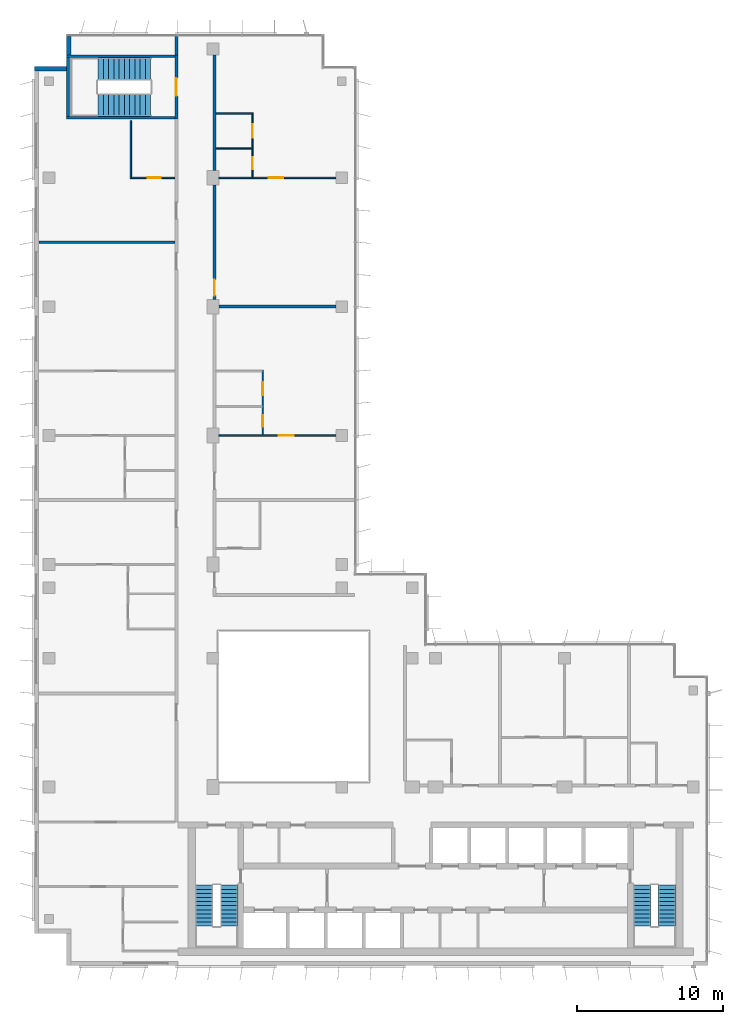
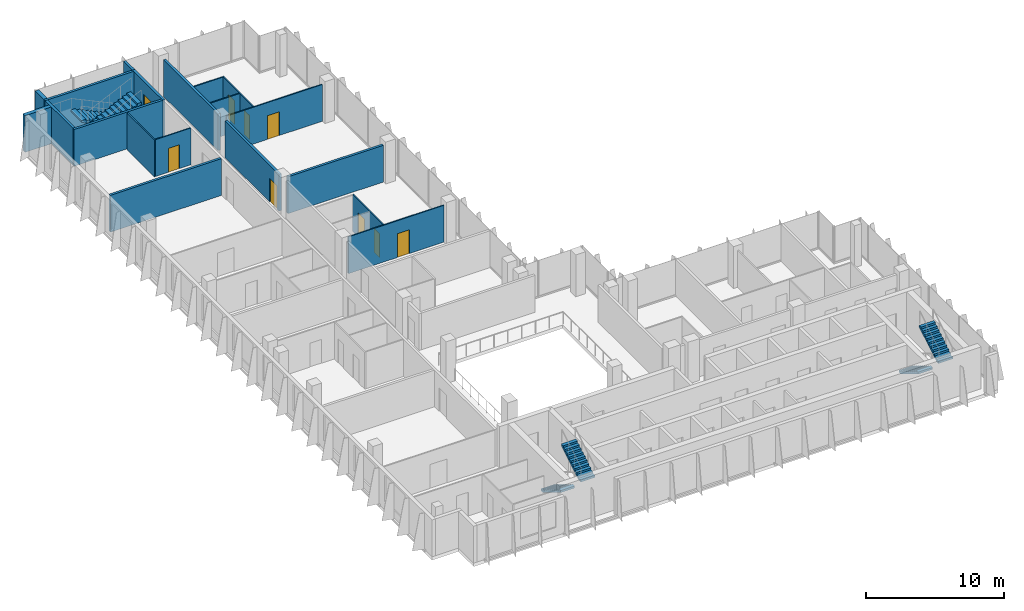
# One storey, part 12 of 15: 19 walls, 9 doors, 6 stair flights, 9 openings, 3 elements without a shape of their own.
"""IFC4 building model written with IfcOpenShell, lengths in metres."""

from ifc_helpers import new_model, si_unit, direction, frame, frame_2d, origin, place, context, subcontext, project, spatial, polyline, rectangle, outline, extrude, material, layer, layer_set, type_object, element, fill, aggregate, save


model = new_model("IFC4")

# Units and contexts
model_context = context("Model", 3, precision=1e-05, world=origin(), true_north=direction((0.0, 1.0)))
body_context = subcontext(model_context, "Body", "Model", "MODEL_VIEW")
ifc_project = project(units=[si_unit("LENGTHUNIT", "METRE"), si_unit("AREAUNIT", "SQUARE_METRE"), si_unit("VOLUMEUNIT", "CUBIC_METRE"), si_unit("PLANEANGLEUNIT", "RADIAN"), si_unit("MASSUNIT", "GRAM", prefix="KILO")], contexts=[model_context])

# Site, building, storey
site_placement = place(None, origin())
site = spatial("IfcSite", under=ifc_project, at=site_placement, CompositionType="ELEMENT")
building_placement = place(site_placement, origin())
building = spatial("IfcBuilding", under=site, at=building_placement, Name="Kemantara Hotel Tower", CompositionType="ELEMENT")
storey_placement = place(building_placement, frame((0.0, 0.0, 305.5)))
storey = spatial("IfcBuildingStorey", under=building, at=storey_placement, Name="L77", CompositionType="ELEMENT", Elevation=305.5)

# Walls
ifc_material_1 = material(Name="Bronze anodised aluminium cladding on insulated steel stud wall", Category="steel")
ifc_layer_1 = layer(ifc_material_1, 0.300048828125)
ifc_layer_set_1 = layer_set([ifc_layer_1], Name="Bronze anodised aluminium cladding on insulated steel stud wall")
wall_type_1 = type_object("IfcWallType", Name="BRONZE METAL-CLAD EXTERNAL WALL 300", PredefinedType="STANDARD", material=ifc_layer_set_1)
wall_1_placement = place(storey_placement, frame((2.35009765625, 63.449951171875, 0.0), z_axis=(0.0, 0.0, 1.0), x_axis=(0.0, -1.0, 0.0)))
element("IfcWall", 1, at=wall_1_placement, inside=storey, type_object=wall_type_1, Name="EXTERNAL WALL L77 T4-R03", PredefinedType="STANDARD", context=body_context, shape_type="SweptSolid", body=[
    extrude(rectangle(XDim=1.25, YDim=0.300048828125, at=frame_2d((0.625, 0.0))), origin(), (0.0, 0.0, 1.0), 3.25),
])
wall_2_placement = place(storey_placement, frame((2.199951171875, 61.25, 0.0), z_axis=(0.0, 0.0, 1.0), x_axis=(-1.0, 0.0, 0.0)))
element("IfcWall", 2, at=wall_2_placement, inside=storey, type_object=wall_type_1, Name="EXTERNAL WALL L77 T4-R04", PredefinedType="STANDARD", context=body_context, shape_type="SweptSolid", body=[
    extrude(rectangle(XDim=2.199951171875, YDim=0.300048828125, at=frame_2d((1.10009765625, 0.0))), origin(), (0.0, 0.0, 1.0), 3.25),
])
ifc_material_2 = material(Name="Gypsum board partition, steel studs and mineral wool, 200 mm", Category="steel")
ifc_layer_2 = layer(ifc_material_2, 0.199951171875)
ifc_layer_set_2 = layer_set([ifc_layer_2], Name="Gypsum board partition, steel studs and mineral wool, 200 mm")
wall_type_2 = type_object("IfcWallType", Name="CORRIDOR WALL 200", PredefinedType="PARTITIONING", material=ifc_layer_set_2)
wall_3_placement = place(storey_placement, frame((9.699951171875, 62.199951171875, 0.0), z_axis=(0.0, 0.0, 1.0), x_axis=(0.0, 1.0, 0.0)))
element("IfcWall", 3, at=wall_3_placement, inside=storey, type_object=wall_type_2, Name="CORRIDOR WALL 200 008", PredefinedType="PARTITIONING", context=body_context, shape_type="SweptSolid", body=[
    extrude(rectangle(XDim=1.280029296875, YDim=0.199951171875, at=frame_2d((0.64013671875, 0.0))), origin(), (0.0, 0.0, 1.0), 3.25),
])

# Wall, opening, door
wall_4_placement = place(storey_placement, frame((12.300048828125, 53.2998046875, 0.0), z_axis=(0.0, 0.0, 1.0), x_axis=(0.0, -1.0, 0.0)))
wall_4 = element("IfcWall", 4, at=wall_4_placement, inside=storey, type_object=wall_type_2, Name="CORRIDOR WALL 200 016", PredefinedType="PARTITIONING", context=body_context, shape_type="SweptSolid", body=[
    extrude(rectangle(XDim=7.7998046875, YDim=0.199951171875, at=frame_2d((3.89990234375, 0.0))), origin(), (0.0, 0.0, 1.0), 3.25),
])
opening_1_placement = place(wall_4_placement, frame((6.449951171875, 0.0, 0.0)))
opening_1 = element("IfcOpeningElement", 5, at=opening_1_placement, cuts=wall_4, Name="Opening F38-031", PredefinedType="OPENING", context=body_context, shape_type="SweptSolid", body=[
    extrude(rectangle(XDim=1.10009765625, YDim=2.10009765625, at=frame_2d((0.550048828125, 1.050048828125))), frame((0.0, 0.10986328125, 0.0), z_axis=(0.0, -1.0, 0.0), x_axis=(1.0, 0.0, 0.0)), (0.0, 0.0, 1.0), 0.219970703125),
])
ifc_material_3 = material(Name="Hardwood veneer door leaf with steel frame", Category="steel")
door_type_1 = type_object("IfcDoorType", Name="SUITE ENTRANCE DOOR 1100 X 2100 FD30S", OperationType="NOTDEFINED", PredefinedType="DOOR", material=ifc_material_3)
door_1_placement = place(opening_1_placement, origin())
door_1 = element("IfcDoor", 6, at=door_1_placement, inside=storey, type_object=door_type_1, Name="SUITE ENTRANCE DOOR F38-031", OperationType="SINGLE_SWING_RIGHT", OverallHeight=2.10009765625, OverallWidth=1.10009765625, PredefinedType="DOOR", context=body_context, shape_type="SweptSolid", body=[
    extrude(rectangle(XDim=1.10009765625, YDim=2.10009765625, at=frame_2d((0.550048828125, 1.050048828125))), frame((0.0, 0.02490234375, 0.0), z_axis=(0.0, -1.0, 0.0), x_axis=(1.0, 0.0, 0.0)), (0.0, 0.0, 1.0), 0.050048828125),
])
fill(opening_1, door_1)

# Wall
wall_5_placement = place(storey_placement, frame((12.300048828125, 54.300048828125, 0.0), z_axis=(0.0, 0.0, 1.0), x_axis=(0.0, 1.0, 0.0)))
element("IfcWall", 7, at=wall_5_placement, inside=storey, type_object=wall_type_2, Name="CORRIDOR WALL 200 017", PredefinedType="PARTITIONING", context=body_context, shape_type="SweptSolid", body=[
    extrude(rectangle(XDim=7.89990234375, YDim=0.199951171875, at=frame_2d((3.949951171875, 0.0))), origin(), (0.0, 0.0, 1.0), 3.25),
])

# Wall, opening, door
ifc_material_4 = material(Name="Concrete fc 40 MPa", Category="concrete")
ifc_layer_3 = layer(ifc_material_4, 0.199951171875)
ifc_layer_set_3 = layer_set([ifc_layer_3], Name="Concrete fc 40 MPa")
wall_type_3 = type_object("IfcWallType", Name="Concrete stair wall 200 mm", PredefinedType="SHEAR", material=ifc_layer_set_3)
wall_6_placement = place(storey_placement, frame((9.699951171875, 57.800048828125, 0.0), z_axis=(0.0, 0.0, 1.0), x_axis=(0.0, 1.0, 0.0)))
wall_6 = element("IfcWall", 8, at=wall_6_placement, inside=storey, type_object=wall_type_3, Name="Stair ST4 enclosure wall with door", PredefinedType="SHEAR", context=body_context, shape_type="SweptSolid", body=[
    extrude(rectangle(XDim=4.39990234375, YDim=0.199951171875, at=frame_2d((2.199951171875, 0.0))), origin(), (0.0, 0.0, 1.0), 3.25),
])
opening_2_placement = place(wall_6_placement, frame((1.60009765625, 0.0, 0.0)))
opening_2 = element("IfcOpeningElement", 9, at=opening_2_placement, cuts=wall_6, Name="Opening ST4-C", PredefinedType="OPENING", context=body_context, shape_type="SweptSolid", body=[
    extrude(rectangle(XDim=1.199951171875, YDim=2.10009765625, at=frame_2d((0.60009765625, 1.050048828125))), frame((0.0, 0.10986328125, 0.0), z_axis=(0.0, -1.0, 0.0), x_axis=(1.0, 0.0, 0.0)), (0.0, 0.0, 1.0), 0.219970703125),
])
ifc_material_5 = material(Name="Steel fire door", Category="steel")
door_type_2 = type_object("IfcDoorType", Name="Fire door FD90 1200 x 2100", OperationType="NOTDEFINED", PredefinedType="DOOR", material=ifc_material_5)
door_2_placement = place(opening_2_placement, origin())
door_2 = element("IfcDoor", 10, at=door_2_placement, inside=storey, type_object=door_type_2, Name="Stair ST4 door", OperationType="SINGLE_SWING_RIGHT", OverallHeight=2.10009765625, OverallWidth=1.199951171875, PredefinedType="DOOR", context=body_context, shape_type="SweptSolid", body=[
    extrude(rectangle(XDim=1.199951171875, YDim=2.10009765625, at=frame_2d((0.60009765625, 1.050048828125))), frame((0.0, 0.02490234375, 0.0), z_axis=(0.0, -1.0, 0.0), x_axis=(1.0, 0.0, 0.0)), (0.0, 0.0, 1.0), 0.050048828125),
])
fill(opening_2, door_2)

# Walls
for number, where, z_axis, x_axis, name in (
    (11, (2.199951171875, 62.10009765625, 0.0), (0.0, 0.0, 1.0), (1.0, 0.0, 0.0), "Stair ST4 enclosure wall N"),
    (12, (2.199951171875, 57.89990234375, 0.0), (0.0, 0.0, 1.0), (1.0, 0.0, 0.0), "Stair ST4 enclosure wall S"),
):
    element("IfcWall", number, at=place(storey_placement, frame(where, z_axis=z_axis, x_axis=x_axis)), inside=storey, type_object=wall_type_3, Name=name, PredefinedType="SHEAR", context=body_context, shape_type="SweptSolid", body=[
        extrude(rectangle(XDim=7.400146484375, YDim=0.199951171875, at=frame_2d((3.7001953125, 0.0))), origin(), (0.0, 0.0, 1.0), 3.25),
    ])
wall_7_placement = place(storey_placement, frame((2.300048828125, 58.0, 0.0), z_axis=(0.0, 0.0, 1.0), x_axis=(0.0, 1.0, 0.0)))
element("IfcWall", 13, at=wall_7_placement, inside=storey, type_object=wall_type_3, Name="Stair ST4 enclosure wall W", PredefinedType="SHEAR", context=body_context, shape_type="SweptSolid", body=[
    extrude(rectangle(XDim=4.0, YDim=0.199951171875, at=frame_2d((2.0, 0.0))), origin(), (0.0, 0.0, 1.0), 3.25),
])
ifc_layer_4 = layer(ifc_material_2, 0.199951171875)
ifc_layer_set_4 = layer_set([ifc_layer_4], Name="Gypsum board partition, steel studs and mineral wool, 200 mm")
wall_type_4 = type_object("IfcWallType", Name="GUEST ROOM PARTY WALL 200", PredefinedType="PARTITIONING", material=ifc_layer_set_4)
wall_8_placement = place(storey_placement, frame((0.31005859375, 49.39990234375, 0.0), z_axis=(0.0, 0.0, 1.0), x_axis=(1.0, 0.0, 0.0)))
element("IfcWall", 14, at=wall_8_placement, inside=storey, type_object=wall_type_4, Name="GUEST ROOM PARTY WALL 200 012", PredefinedType="PARTITIONING", context=body_context, shape_type="SweptSolid", body=[
    extrude(rectangle(XDim=9.2900390625, YDim=0.199951171875, at=frame_2d((4.64501953125, 0.0))), origin(), (0.0, 0.0, 1.0), 3.25),
])
wall_9_placement = place(storey_placement, frame((12.60009765625, 45.0, 0.0), z_axis=(0.0, 0.0, 1.0), x_axis=(1.0, 0.0, 0.0)))
element("IfcWall", 15, at=wall_9_placement, inside=storey, type_object=wall_type_4, Name="GUEST ROOM PARTY WALL 200 019", PredefinedType="PARTITIONING", context=body_context, shape_type="SweptSolid", body=[
    extrude(rectangle(XDim=7.999755859375, YDim=0.199951171875, at=frame_2d((4.0, 0.0))), origin(), (0.0, 0.0, 1.0), 3.25),
])

# Wall, opening, door
ifc_material_6 = material(Name="Gypsum board partition on steel studs, 100 mm", Category="steel")
ifc_layer_5 = layer(ifc_material_6, 0.10009765625)
ifc_layer_set_5 = layer_set([ifc_layer_5], Name="Gypsum board partition on steel studs, 100 mm")
wall_type_5 = type_object("IfcWallType", Name="ROOM PARTITION 100", PredefinedType="PARTITIONING", material=ifc_layer_set_5)
wall_10_placement = place(storey_placement, frame((12.60009765625, 36.199951171875, 0.0), z_axis=(0.0, 0.0, 1.0), x_axis=(1.0, 0.0, 0.0)))
wall_10 = element("IfcWall", 16, at=wall_10_placement, inside=storey, type_object=wall_type_5, Name="ROOM PARTITION 100 040", PredefinedType="PARTITIONING", context=body_context, shape_type="SweptSolid", body=[
    extrude(rectangle(XDim=7.999755859375, YDim=0.10009765625, at=frame_2d((4.0, 0.0))), origin(), (0.0, 0.0, 1.0), 3.25),
])
opening_3_placement = place(wall_10_placement, frame((4.099853515625, 0.0, 0.0)))
opening_3 = element("IfcOpeningElement", 17, at=opening_3_placement, cuts=wall_10, Name="Opening F38-028", PredefinedType="OPENING", context=body_context, shape_type="SweptSolid", body=[
    extrude(rectangle(XDim=1.0, YDim=2.10009765625, at=frame_2d((0.5, 1.050048828125))), frame((0.0, 0.06005859375, 0.0), z_axis=(0.0, -1.0, 0.0), x_axis=(1.0, 0.0, 0.0)), (0.0, 0.0, 1.0), 0.1201171875),
])
door_type_3 = type_object("IfcDoorType", Name="INTERNAL DOOR 1000 X 2100", OperationType="NOTDEFINED", PredefinedType="DOOR", material=ifc_material_3)
door_3_placement = place(opening_3_placement, origin())
door_3 = element("IfcDoor", 18, at=door_3_placement, inside=storey, type_object=door_type_3, Name="INTERNAL DOOR F38-028", OperationType="SINGLE_SWING_LEFT", OverallHeight=2.10009765625, OverallWidth=1.0, PredefinedType="DOOR", context=body_context, shape_type="SweptSolid", body=[
    extrude(rectangle(XDim=1.0, YDim=2.10009765625, at=frame_2d((0.5, 1.050048828125))), frame((0.0, 0.02490234375, 0.0), z_axis=(0.0, -1.0, 0.0), x_axis=(1.0, 0.0, 0.0)), (0.0, 0.0, 1.0), 0.050048828125),
])
fill(opening_3, door_3)

# Wall
wall_11_placement = place(storey_placement, frame((6.60009765625, 53.75, 0.0), z_axis=(0.0, 0.0, 1.0), x_axis=(0.0, 1.0, 0.0)))
element("IfcWall", 19, at=wall_11_placement, inside=storey, type_object=wall_type_5, Name="ROOM PARTITION 100 042", PredefinedType="PARTITIONING", context=body_context, shape_type="SweptSolid", body=[
    extrude(rectangle(XDim=3.949951171875, YDim=0.10009765625, at=frame_2d((1.97509765625, 0.0))), origin(), (0.0, 0.0, 1.0), 3.25),
])

# Wall, opening, door
wall_12_placement = place(storey_placement, frame((6.64990234375, 53.800048828125, 0.0), z_axis=(0.0, 0.0, 1.0), x_axis=(1.0, 0.0, 0.0)))
wall_12 = element("IfcWall", 20, at=wall_12_placement, inside=storey, type_object=wall_type_5, Name="ROOM PARTITION 100 043", PredefinedType="PARTITIONING", context=body_context, shape_type="SweptSolid", body=[
    extrude(rectangle(XDim=2.9501953125, YDim=0.10009765625, at=frame_2d((1.47509765625, 0.0))), origin(), (0.0, 0.0, 1.0), 3.25),
])
opening_4_placement = place(wall_12_placement, frame((1.10009765625, 0.0, 0.0)))
opening_4 = element("IfcOpeningElement", 21, at=opening_4_placement, cuts=wall_12, Name="Opening F38-024", PredefinedType="OPENING", context=body_context, shape_type="SweptSolid", body=[
    extrude(rectangle(XDim=0.89990234375, YDim=2.10009765625, at=frame_2d((0.449951171875, 1.050048828125))), frame((0.0, 0.06005859375, 0.0), z_axis=(0.0, -1.0, 0.0), x_axis=(1.0, 0.0, 0.0)), (0.0, 0.0, 1.0), 0.1201171875),
])
door_type_4 = type_object("IfcDoorType", Name="BATHROOM DOOR 900 X 2100", OperationType="NOTDEFINED", PredefinedType="DOOR", material=ifc_material_3)
door_4_placement = place(opening_4_placement, origin())
door_4 = element("IfcDoor", 22, at=door_4_placement, inside=storey, type_object=door_type_4, Name="BATHROOM DOOR F38-024", OperationType="SINGLE_SWING_RIGHT", OverallHeight=2.10009765625, OverallWidth=0.89990234375, PredefinedType="DOOR", context=body_context, shape_type="SweptSolid", body=[
    extrude(rectangle(XDim=0.89990234375, YDim=2.10009765625, at=frame_2d((0.449951171875, 1.050048828125))), frame((0.0, 0.02490234375, 0.0), z_axis=(0.0, -1.0, 0.0), x_axis=(1.0, 0.0, 0.0)), (0.0, 0.0, 1.0), 0.050048828125),
])
fill(opening_4, door_4)

wall_13_placement = place(storey_placement, frame((12.60009765625, 53.800048828125, 0.0), z_axis=(0.0, 0.0, 1.0), x_axis=(1.0, 0.0, 0.0)))
wall_13 = element("IfcWall", 23, at=wall_13_placement, inside=storey, type_object=wall_type_5, Name="ROOM PARTITION 100 044", PredefinedType="PARTITIONING", context=body_context, shape_type="SweptSolid", body=[
    extrude(rectangle(XDim=7.999755859375, YDim=0.10009765625, at=frame_2d((4.0, 0.0))), origin(), (0.0, 0.0, 1.0), 3.25),
])
opening_5_placement = place(wall_13_placement, frame((3.39990234375, 0.0, 0.0)))
opening_5 = element("IfcOpeningElement", 24, at=opening_5_placement, cuts=wall_13, Name="Opening F38-032", PredefinedType="OPENING", context=body_context, shape_type="SweptSolid", body=[
    extrude(rectangle(XDim=1.0, YDim=2.10009765625, at=frame_2d((0.5, 1.050048828125))), frame((0.0, 0.06005859375, 0.0), z_axis=(0.0, -1.0, 0.0), x_axis=(1.0, 0.0, 0.0)), (0.0, 0.0, 1.0), 0.1201171875),
])
door_5_placement = place(opening_5_placement, origin())
door_5 = element("IfcDoor", 25, at=door_5_placement, inside=storey, type_object=door_type_3, Name="INTERNAL DOOR F38-032", OperationType="SINGLE_SWING_LEFT", OverallHeight=2.10009765625, OverallWidth=1.0, PredefinedType="DOOR", context=body_context, shape_type="SweptSolid", body=[
    extrude(rectangle(XDim=1.0, YDim=2.10009765625, at=frame_2d((0.5, 1.050048828125))), frame((0.0, 0.02490234375, 0.0), z_axis=(0.0, -1.0, 0.0), x_axis=(1.0, 0.0, 0.0)), (0.0, 0.0, 1.0), 0.050048828125),
])
fill(opening_5, door_5)

# Wall, openings, doors
wall_14_placement = place(storey_placement, frame((15.60009765625, 36.25, 0.0), z_axis=(0.0, 0.0, 1.0), x_axis=(0.0, 1.0, 0.0)))
wall_14 = element("IfcWall", 26, at=wall_14_placement, inside=storey, type_object=wall_type_5, Name="ROOM PARTITION 100 047", PredefinedType="PARTITIONING", context=body_context, shape_type="SweptSolid", body=[
    extrude(rectangle(XDim=4.39990234375, YDim=0.10009765625, at=frame_2d((2.199951171875, 0.0))), origin(), (0.0, 0.0, 1.0), 3.25),
])
opening_6_placement = place(wall_14_placement, frame((2.699951171875, 0.0, 0.0)))
opening_6 = element("IfcOpeningElement", 27, at=opening_6_placement, cuts=wall_14, Name="Opening F38-029", PredefinedType="OPENING", context=body_context, shape_type="SweptSolid", body=[
    extrude(rectangle(XDim=0.89990234375, YDim=2.10009765625, at=frame_2d((0.449951171875, 1.050048828125))), frame((0.0, 0.06005859375, 0.0), z_axis=(0.0, -1.0, 0.0), x_axis=(1.0, 0.0, 0.0)), (0.0, 0.0, 1.0), 0.1201171875),
])
opening_7_placement = place(wall_14_placement, frame((0.550048828125, 0.0, 0.0)))
opening_7 = element("IfcOpeningElement", 28, at=opening_7_placement, cuts=wall_14, Name="Opening F38-030", PredefinedType="OPENING", context=body_context, shape_type="SweptSolid", body=[
    extrude(rectangle(XDim=0.800048828125, YDim=2.10009765625, at=frame_2d((0.39990234375, 1.050048828125))), frame((0.0, 0.06005859375, 0.0), z_axis=(0.0, -1.0, 0.0), x_axis=(1.0, 0.0, 0.0)), (0.0, 0.0, 1.0), 0.1201171875),
])
door_6_placement = place(opening_6_placement, origin())
door_6 = element("IfcDoor", 29, at=door_6_placement, inside=storey, type_object=door_type_4, Name="BATHROOM DOOR F38-029", OperationType="SINGLE_SWING_LEFT", OverallHeight=2.10009765625, OverallWidth=0.89990234375, PredefinedType="DOOR", context=body_context, shape_type="SweptSolid", body=[
    extrude(rectangle(XDim=0.89990234375, YDim=2.10009765625, at=frame_2d((0.449951171875, 1.050048828125))), frame((0.0, 0.02490234375, 0.0), z_axis=(0.0, -1.0, 0.0), x_axis=(1.0, 0.0, 0.0)), (0.0, 0.0, 1.0), 0.050048828125),
])
fill(opening_6, door_6)
door_type_5 = type_object("IfcDoorType", Name="WARDROBE DOOR 800 X 2100", OperationType="NOTDEFINED", PredefinedType="DOOR", material=ifc_material_3)
door_7_placement = place(opening_7_placement, origin())
door_7 = element("IfcDoor", 30, at=door_7_placement, inside=storey, type_object=door_type_5, Name="WARDROBE DOOR F38-030", OperationType="SINGLE_SWING_LEFT", OverallHeight=2.10009765625, OverallWidth=0.800048828125, PredefinedType="DOOR", context=body_context, shape_type="SweptSolid", body=[
    extrude(rectangle(XDim=0.800048828125, YDim=2.10009765625, at=frame_2d((0.39990234375, 1.050048828125))), frame((0.0, 0.02490234375, 0.0), z_axis=(0.0, -1.0, 0.0), x_axis=(1.0, 0.0, 0.0)), (0.0, 0.0, 1.0), 0.050048828125),
])
fill(opening_7, door_7)

wall_15_placement = place(storey_placement, frame((14.89990234375, 53.85009765625, 0.0), z_axis=(0.0, 0.0, 1.0), x_axis=(0.0, 1.0, 0.0)))
wall_15 = element("IfcWall", 31, at=wall_15_placement, inside=storey, type_object=wall_type_5, Name="ROOM PARTITION 100 049", PredefinedType="PARTITIONING", context=body_context, shape_type="SweptSolid", body=[
    extrude(rectangle(XDim=4.39990234375, YDim=0.10009765625, at=frame_2d((2.199951171875, 0.0))), origin(), (0.0, 0.0, 1.0), 3.25),
])
opening_8_placement = place(wall_15_placement, frame((2.699951171875, 0.0, 0.0)))
opening_8 = element("IfcOpeningElement", 32, at=opening_8_placement, cuts=wall_15, Name="Opening F38-033", PredefinedType="OPENING", context=body_context, shape_type="SweptSolid", body=[
    extrude(rectangle(XDim=0.89990234375, YDim=2.10009765625, at=frame_2d((0.449951171875, 1.050048828125))), frame((0.0, 0.06005859375, 0.0), z_axis=(0.0, -1.0, 0.0), x_axis=(1.0, 0.0, 0.0)), (0.0, 0.0, 1.0), 0.1201171875),
])
opening_9_placement = place(wall_15_placement, frame((0.550048828125, 0.0, 0.0)))
opening_9 = element("IfcOpeningElement", 33, at=opening_9_placement, cuts=wall_15, Name="Opening F38-034", PredefinedType="OPENING", context=body_context, shape_type="SweptSolid", body=[
    extrude(rectangle(XDim=0.800048828125, YDim=2.10009765625, at=frame_2d((0.39990234375, 1.050048828125))), frame((0.0, 0.06005859375, 0.0), z_axis=(0.0, -1.0, 0.0), x_axis=(1.0, 0.0, 0.0)), (0.0, 0.0, 1.0), 0.1201171875),
])
door_8_placement = place(opening_8_placement, origin())
door_8 = element("IfcDoor", 34, at=door_8_placement, inside=storey, type_object=door_type_4, Name="BATHROOM DOOR F38-033", OperationType="SINGLE_SWING_LEFT", OverallHeight=2.10009765625, OverallWidth=0.89990234375, PredefinedType="DOOR", context=body_context, shape_type="SweptSolid", body=[
    extrude(rectangle(XDim=0.89990234375, YDim=2.10009765625, at=frame_2d((0.449951171875, 1.050048828125))), frame((0.0, 0.02490234375, 0.0), z_axis=(0.0, -1.0, 0.0), x_axis=(1.0, 0.0, 0.0)), (0.0, 0.0, 1.0), 0.050048828125),
])
fill(opening_8, door_8)
door_9_placement = place(opening_9_placement, origin())
door_9 = element("IfcDoor", 35, at=door_9_placement, inside=storey, type_object=door_type_5, Name="WARDROBE DOOR F38-034", OperationType="SINGLE_SWING_LEFT", OverallHeight=2.10009765625, OverallWidth=0.800048828125, PredefinedType="DOOR", context=body_context, shape_type="SweptSolid", body=[
    extrude(rectangle(XDim=0.800048828125, YDim=2.10009765625, at=frame_2d((0.39990234375, 1.050048828125))), frame((0.0, 0.02490234375, 0.0), z_axis=(0.0, -1.0, 0.0), x_axis=(1.0, 0.0, 0.0)), (0.0, 0.0, 1.0), 0.050048828125),
])
fill(opening_9, door_9)

# Walls
for number, where, z_axis, x_axis, name in (
    (36, (12.39990234375, 58.199951171875, 0.0), (0.0, 0.0, 1.0), (1.0, 0.0, 0.0), "ROOM PARTITION 100 050"),
    (37, (12.39990234375, 55.800048828125, 0.0), (0.0, 0.0, 1.0), (1.0, 0.0, 0.0), "ROOM PARTITION 100 051"),
):
    element("IfcWall", number, at=place(storey_placement, frame(where, z_axis=z_axis, x_axis=x_axis)), inside=storey, type_object=wall_type_5, Name=name, PredefinedType="PARTITIONING", context=body_context, shape_type="SweptSolid", body=[
        extrude(rectangle(XDim=2.4501953125, YDim=0.10009765625, at=frame_2d((1.22509765625, 0.0))), origin(), (0.0, 0.0, 1.0), 3.25),
    ])

# Stair, stair flights
stair_type_1 = type_object("IfcStairType", Name="Stair 1200 wide 22 risers of 168 x 280 mm", PredefinedType="HALF_TURN_STAIR", material=ifc_material_4)
stair_1_placement = place(storey_placement, origin())
stair_1 = element("IfcStair", 38, at=stair_1_placement, inside=storey, type_object=stair_type_1, Name="L77 Exit stair ST1", PredefinedType="HALF_TURN_STAIR")
stair_flight_type_1 = type_object("IfcStairFlightType", Name="Stair flight 1200 wide 168 x 280 mm", PredefinedType="STRAIGHT", material=ifc_material_4)
stair_flight_1_placement = place(storey_placement, frame((11.60009765625, 5.5, 0.0), z_axis=(0.0, 0.0, 1.0), x_axis=(0.0, -1.0, 0.0)))
stair_flight_1 = element("IfcStairFlight", 39, at=stair_flight_1_placement, type_object=stair_flight_type_1, Name="ST1 flight 1", NumberOfRisers=11, NumberOfTreads=10, PredefinedType="STRAIGHT", RiserHeight=0.168181818, TreadLength=0.28, context=body_context, shape_type="SweptSolid", body=[
    extrude(outline(polyline([(0.0, 0.0), (0.0, 0.168212890625), (0.280029296875, 0.168212890625), (0.280029296875, 0.33642578125), (0.56005859375, 0.33642578125), (0.56005859375, 0.504638671875), (0.840087890625, 0.504638671875), (0.840087890625, 0.672607421875), (1.1201171875, 0.672607421875), (1.1201171875, 0.8408203125), (1.39990234375, 0.8408203125), (1.39990234375, 1.009033203125), (1.679931640625, 1.009033203125), (1.679931640625, 1.17724609375), (1.9599609375, 1.17724609375), (1.9599609375, 1.345458984375), (2.239990234375, 1.345458984375), (2.239990234375, 1.513671875), (2.52001953125, 1.513671875), (2.52001953125, 1.681884765625), (2.800048828125, 1.681884765625), (2.800048828125, 1.85009765625), (2.800048828125, 1.5068359375), (0.291015625, 0.0), (0.0, 0.0)])), frame((0.0, 0.60009765625, 0.0), z_axis=(0.0, -1.0, 0.0), x_axis=(1.0, 0.0, 0.0)), (0.0, 0.0, 1.0), 1.199951171875),
])
stair_flight_2_placement = place(storey_placement, frame((13.300048828125, 2.699951171875, 1.85009765625), z_axis=(0.0, 0.0, 1.0), x_axis=(0.0, 1.0, 0.0)))
stair_flight_2 = element("IfcStairFlight", 40, at=stair_flight_2_placement, type_object=stair_flight_type_1, Name="ST1 flight 2", NumberOfRisers=11, NumberOfTreads=10, PredefinedType="STRAIGHT", RiserHeight=0.168181818, TreadLength=0.28, context=body_context, shape_type="SweptSolid", body=[
    extrude(outline(polyline([(0.0, 0.0), (0.0, 0.168212890625), (0.280029296875, 0.168212890625), (0.280029296875, 0.33642578125), (0.56005859375, 0.33642578125), (0.56005859375, 0.504638671875), (0.840087890625, 0.504638671875), (0.840087890625, 0.672607421875), (1.1201171875, 0.672607421875), (1.1201171875, 0.8408203125), (1.39990234375, 0.8408203125), (1.39990234375, 1.009033203125), (1.679931640625, 1.009033203125), (1.679931640625, 1.17724609375), (1.9599609375, 1.17724609375), (1.9599609375, 1.345458984375), (2.239990234375, 1.345458984375), (2.239990234375, 1.513671875), (2.52001953125, 1.513671875), (2.52001953125, 1.681884765625), (2.800048828125, 1.681884765625), (2.800048828125, 1.85009765625), (2.800048828125, 1.5068359375), (0.291015625, 0.0), (0.0, 0.0)])), frame((0.0, 0.60009765625, 0.0), z_axis=(0.0, -1.0, 0.0), x_axis=(1.0, 0.0, 0.0)), (0.0, 0.0, 1.0), 1.199951171875),
])
aggregate(stair_1, [stair_flight_1, stair_flight_2])

stair_2_placement = place(storey_placement, origin())
stair_2 = element("IfcStair", 41, at=stair_2_placement, inside=storey, type_object=stair_type_1, Name="L77 Exit stair ST2", PredefinedType="HALF_TURN_STAIR")
stair_flight_3_placement = place(storey_placement, frame((41.5, 5.5, 0.0), z_axis=(0.0, 0.0, 1.0), x_axis=(0.0, -1.0, 0.0)))
stair_flight_3 = element("IfcStairFlight", 42, at=stair_flight_3_placement, type_object=stair_flight_type_1, Name="ST2 flight 1", NumberOfRisers=11, NumberOfTreads=10, PredefinedType="STRAIGHT", RiserHeight=0.168181818, TreadLength=0.28, context=body_context, shape_type="SweptSolid", body=[
    extrude(outline(polyline([(0.0, 0.0), (0.0, 0.168212890625), (0.280029296875, 0.168212890625), (0.280029296875, 0.33642578125), (0.56005859375, 0.33642578125), (0.56005859375, 0.504638671875), (0.840087890625, 0.504638671875), (0.840087890625, 0.672607421875), (1.1201171875, 0.672607421875), (1.1201171875, 0.8408203125), (1.39990234375, 0.8408203125), (1.39990234375, 1.009033203125), (1.679931640625, 1.009033203125), (1.679931640625, 1.17724609375), (1.9599609375, 1.17724609375), (1.9599609375, 1.345458984375), (2.239990234375, 1.345458984375), (2.239990234375, 1.513671875), (2.52001953125, 1.513671875), (2.52001953125, 1.681884765625), (2.800048828125, 1.681884765625), (2.800048828125, 1.85009765625), (2.800048828125, 1.5068359375), (0.291015625, 0.0), (0.0, 0.0)])), frame((0.0, 0.60009765625, 0.0), z_axis=(0.0, -1.0, 0.0), x_axis=(1.0, 0.0, 0.0)), (0.0, 0.0, 1.0), 1.199951171875),
])
stair_flight_4_placement = place(storey_placement, frame((43.199951171875, 2.699951171875, 1.85009765625), z_axis=(0.0, 0.0, 1.0), x_axis=(0.0, 1.0, 0.0)))
stair_flight_4 = element("IfcStairFlight", 43, at=stair_flight_4_placement, type_object=stair_flight_type_1, Name="ST2 flight 2", NumberOfRisers=11, NumberOfTreads=10, PredefinedType="STRAIGHT", RiserHeight=0.168181818, TreadLength=0.28, context=body_context, shape_type="SweptSolid", body=[
    extrude(outline(polyline([(0.0, 0.0), (0.0, 0.168212890625), (0.280029296875, 0.168212890625), (0.280029296875, 0.33642578125), (0.56005859375, 0.33642578125), (0.56005859375, 0.504638671875), (0.840087890625, 0.504638671875), (0.840087890625, 0.672607421875), (1.1201171875, 0.672607421875), (1.1201171875, 0.8408203125), (1.39990234375, 0.8408203125), (1.39990234375, 1.009033203125), (1.679931640625, 1.009033203125), (1.679931640625, 1.17724609375), (1.9599609375, 1.17724609375), (1.9599609375, 1.345458984375), (2.239990234375, 1.345458984375), (2.239990234375, 1.513671875), (2.52001953125, 1.513671875), (2.52001953125, 1.681884765625), (2.800048828125, 1.681884765625), (2.800048828125, 1.85009765625), (2.800048828125, 1.5068359375), (0.291015625, 0.0), (0.0, 0.0)])), frame((0.0, 0.60009765625, 0.0), z_axis=(0.0, -1.0, 0.0), x_axis=(1.0, 0.0, 0.0)), (0.0, 0.0, 1.0), 1.199951171875),
])
aggregate(stair_2, [stair_flight_3, stair_flight_4])

stair_type_2 = type_object("IfcStairType", Name="Stair 1550 wide 22 risers of 168 x 360 mm", PredefinedType="HALF_TURN_STAIR", material=ifc_material_4)
stair_3_placement = place(storey_placement, origin())
stair_3 = element("IfcStair", 44, at=stair_3_placement, inside=storey, type_object=stair_type_2, Name="L77 Exit stair ST4", PredefinedType="HALF_TURN_STAIR")
stair_flight_type_2 = type_object("IfcStairFlightType", Name="Stair flight 1550 wide 168 x 360 mm", PredefinedType="STRAIGHT", material=ifc_material_4)
stair_flight_5_placement = place(storey_placement, frame((7.949951171875, 61.22509765625, 0.0), z_axis=(0.0, 0.0, 1.0), x_axis=(-1.0, 0.0, 0.0)))
stair_flight_5 = element("IfcStairFlight", 45, at=stair_flight_5_placement, type_object=stair_flight_type_2, Name="ST4 flight 1", NumberOfRisers=11, NumberOfTreads=10, PredefinedType="STRAIGHT", RiserHeight=0.168181818, TreadLength=0.36, context=body_context, shape_type="SweptSolid", body=[
    extrude(outline(polyline([(0.0, 0.0), (0.0, 0.168212890625), (0.360107421875, 0.168212890625), (0.360107421875, 0.33642578125), (0.719970703125, 0.33642578125), (0.719970703125, 0.504638671875), (1.080078125, 0.504638671875), (1.080078125, 0.672607421875), (1.43994140625, 0.672607421875), (1.43994140625, 0.8408203125), (1.800048828125, 0.8408203125), (1.800048828125, 1.009033203125), (2.159912109375, 1.009033203125), (2.159912109375, 1.17724609375), (2.52001953125, 1.17724609375), (2.52001953125, 1.345458984375), (2.8798828125, 1.345458984375), (2.8798828125, 1.513671875), (3.239990234375, 1.513671875), (3.239990234375, 1.681884765625), (3.60009765625, 1.681884765625), (3.60009765625, 1.85009765625), (3.60009765625, 1.516357421875), (0.354248046875, 0.0), (0.0, 0.0)])), frame((0.0, 0.77490234375, 0.0), z_axis=(0.0, -1.0, 0.0), x_axis=(1.0, 0.0, 0.0)), (0.0, 0.0, 1.0), 1.550048828125),
])
stair_flight_6_placement = place(storey_placement, frame((4.35009765625, 58.77490234375, 1.85009765625), z_axis=(0.0, 0.0, 1.0), x_axis=(1.0, 0.0, 0.0)))
stair_flight_6 = element("IfcStairFlight", 46, at=stair_flight_6_placement, type_object=stair_flight_type_2, Name="ST4 flight 2", NumberOfRisers=11, NumberOfTreads=10, PredefinedType="STRAIGHT", RiserHeight=0.168181818, TreadLength=0.36, context=body_context, shape_type="SweptSolid", body=[
    extrude(outline(polyline([(0.0, 0.0), (0.0, 0.168212890625), (0.360107421875, 0.168212890625), (0.360107421875, 0.33642578125), (0.719970703125, 0.33642578125), (0.719970703125, 0.504638671875), (1.080078125, 0.504638671875), (1.080078125, 0.672607421875), (1.43994140625, 0.672607421875), (1.43994140625, 0.8408203125), (1.800048828125, 0.8408203125), (1.800048828125, 1.009033203125), (2.159912109375, 1.009033203125), (2.159912109375, 1.17724609375), (2.52001953125, 1.17724609375), (2.52001953125, 1.345458984375), (2.8798828125, 1.345458984375), (2.8798828125, 1.513671875), (3.239990234375, 1.513671875), (3.239990234375, 1.681884765625), (3.60009765625, 1.681884765625), (3.60009765625, 1.85009765625), (3.60009765625, 1.516357421875), (0.354248046875, 0.0), (0.0, 0.0)])), frame((0.0, 0.77490234375, 0.0), z_axis=(0.0, -1.0, 0.0), x_axis=(1.0, 0.0, 0.0)), (0.0, 0.0, 1.0), 1.550048828125),
])
aggregate(stair_3, [stair_flight_5, stair_flight_6])

save(model, "model.ifc")
